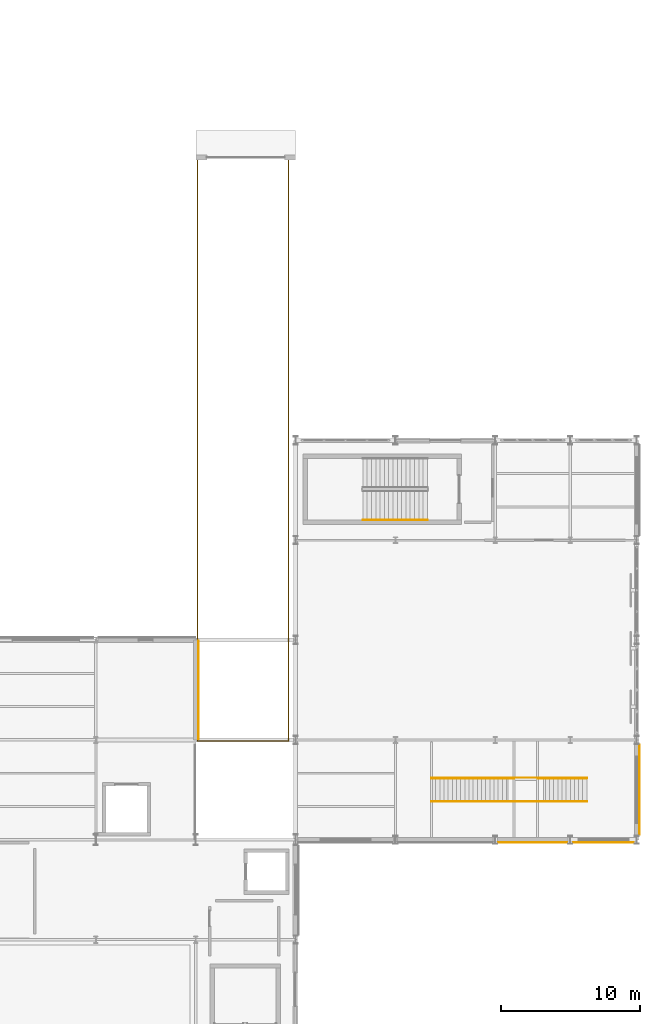
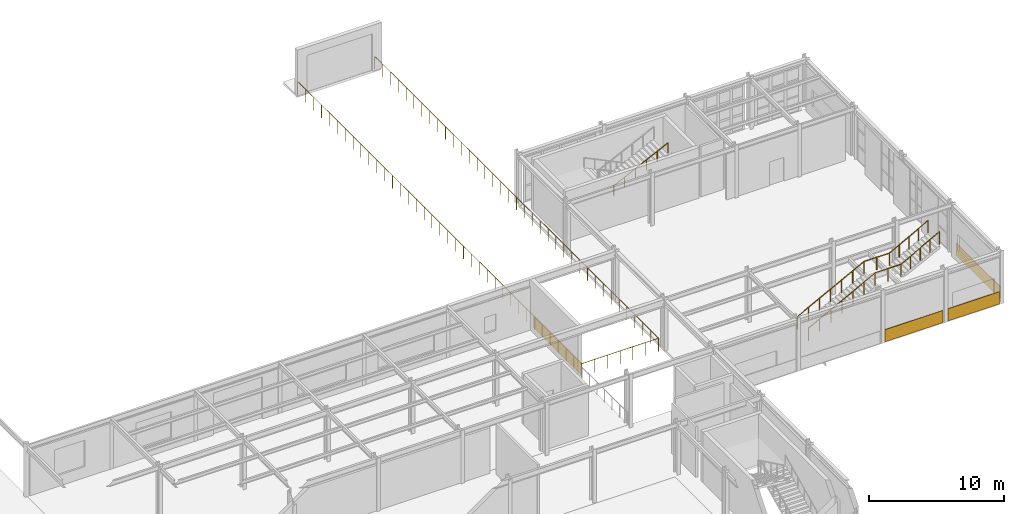
# One storey, part 80 of 83: 4 coverings, 4 railings.
"""IFC4 building model written with IfcOpenShell, lengths in metres."""

from ifc_helpers import new_model, si_unit, direction, frame, origin, origin_2d, place, context, subcontext, project, spatial, rectangle, circle, extrude, material, layer, layer_set, type_object, element, save


model = new_model("IFC4")

# Units and contexts
model_context = context("Model", 3, precision=1e-05, world=origin(), true_north=direction((0.0, 1.0)))
body_context = subcontext(model_context, "Body", "Model", "MODEL_VIEW")
ifc_project = project(units=[si_unit("LENGTHUNIT", "METRE"), si_unit("AREAUNIT", "SQUARE_METRE"), si_unit("VOLUMEUNIT", "CUBIC_METRE"), si_unit("PLANEANGLEUNIT", "RADIAN"), si_unit("MASSUNIT", "GRAM", prefix="KILO")], contexts=[model_context])

# Site, building, storey
site_placement = place(None, origin())
site = spatial("IfcSite", under=ifc_project, at=site_placement, CompositionType="ELEMENT")
building_placement = place(site_placement, origin())
building = spatial("IfcBuilding", under=site, at=building_placement, Name="Solvadek Multi-Sports Hall", CompositionType="ELEMENT")
storey_placement = place(building_placement, origin())
storey = spatial("IfcBuildingStorey", under=building, at=storey_placement, Name="L00", CompositionType="ELEMENT", Elevation=0.0)

# Coverings
ifc_material_1 = material(Name="Dressed honey-cream limestone ashlar", Category="masonry")
ifc_layer = layer(ifc_material_1, 0.044921875, Name="Dressed honey-cream limestone ashlar")
ifc_layer_set = layer_set([ifc_layer], Name="Dressed honey-cream limestone ashlar")
covering_type = type_object("IfcCoveringType", Name="ENV-COV-CLAD45", PredefinedType="CLADDING", material=ifc_layer_set)
covering_1_placement = place(storey_placement, frame((129.797119140625, 52.800048828125, 0.0), z_axis=(0.0, 0.0, 1.0), x_axis=(0.0, 1.0, 0.0)))
element("IfcCovering", 1, at=covering_1_placement, inside=storey, type_object=covering_type, Name="Deccan Granite Plinth Cladding #31", PredefinedType="CLADDING", context=body_context, shape_type="SweptSolid", body=[
    extrude(rectangle(XDim=7.10009765625, YDim=0.044921875, at=origin_2d()), origin(), (0.0, 0.0, 1.0), 1.10009765625),
])
covering_2_placement = place(storey_placement, frame((153.89990234375, 41.802978515625, 0.0), z_axis=(0.0, 0.0, 1.0), x_axis=(1.0, 0.0, 0.0)))
element("IfcCovering", 2, at=covering_2_placement, inside=storey, type_object=covering_type, Name="Deccan Granite Plinth Cladding #39", PredefinedType="CLADDING", context=body_context, shape_type="SweptSolid", body=[
    extrude(rectangle(XDim=4.991943359375, YDim=0.044921875, at=origin_2d()), origin(), (0.0, 0.0, 1.0), 1.10009765625),
])
covering_3_placement = place(storey_placement, frame((159.0, 41.802978515625, 0.0), z_axis=(0.0, 0.0, 1.0), x_axis=(1.0, 0.0, 0.0)))
element("IfcCovering", 3, at=covering_3_placement, inside=storey, type_object=covering_type, Name="Deccan Granite Plinth Cladding #40", PredefinedType="CLADDING", context=body_context, shape_type="SweptSolid", body=[
    extrude(rectangle(XDim=4.39208984375, YDim=0.044921875, at=origin_2d()), origin(), (0.0, 0.0, 1.0), 1.10009765625),
])
covering_4_placement = place(storey_placement, frame((161.59716796875, 45.60009765625, 0.0), z_axis=(0.0, 0.0, 1.0), x_axis=(0.0, 1.0, 0.0)))
element("IfcCovering", 4, at=covering_4_placement, inside=storey, type_object=covering_type, Name="Deccan Granite Plinth Cladding #41", PredefinedType="CLADDING", context=body_context, shape_type="SweptSolid", body=[
    extrude(rectangle(XDim=6.491943359375, YDim=0.044921875, at=origin_2d()), origin(), (0.0, 0.0, 1.0), 1.10009765625),
])

# Railings
ifc_material_2 = material(Name="Steel E250 (250 MPa)", Category="steel")
railing_type_1 = type_object("IfcRailingType", Name="INT-RAL-GRD115", PredefinedType="BALUSTRADE", material=ifc_material_2)
railing_1_placement = place(storey_placement, frame((146.60009765625, 44.760009765625, 0.0)))
element("IfcRailing", 5, at=railing_1_placement, inside=storey, type_object=railing_type_1, Name="Stair ST-11 Balustrade Guard", PredefinedType="BALUSTRADE", context=body_context, shape_type="SweptSolid", body=[
    extrude(circle(Radius=0.02392578125, at=origin_2d()), frame((0.0, 0.0, 1.1259765625), z_axis=(0.884916578004, 0.0, 0.465749557138), x_axis=(0.0, 1.0, 0.0)), (0.0, 0.0, 1.0), 6.441162109375),
    extrude(circle(Radius=0.02392578125, at=origin_2d()), frame((5.699951171875, 0.0, 4.1259765625), z_axis=(1.0, 0.0, 0.0), x_axis=(0.0, 1.0, 0.0)), (0.0, 0.0, 1.0), 2.199951171875),
    extrude(circle(Radius=0.02392578125, at=origin_2d()), frame((7.89990234375, 0.0, 4.1259765625), z_axis=(0.877893090839, 0.0, 0.478856681124), x_axis=(0.0, 1.0, 0.0)), (0.0, 0.0, 1.0), 3.759033203125),
    extrude(circle(Radius=0.02099609375, at=origin_2d()), origin(), (0.0, 0.0, 1.0), 1.101806640625),
    extrude(circle(Radius=0.02099609375, at=origin_2d()), frame((0.949951171875, 0.0, 0.5)), (0.0, 0.0, 1.0), 1.101806640625),
    extrude(circle(Radius=0.02099609375, at=origin_2d()), frame((1.89990234375, 0.0, 1.0)), (0.0, 0.0, 1.0), 1.101806640625),
    extrude(circle(Radius=0.02099609375, at=origin_2d()), frame((2.85009765625, 0.0, 1.5)), (0.0, 0.0, 1.0), 1.101806640625),
    extrude(circle(Radius=0.02099609375, at=origin_2d()), frame((3.800048828125, 0.0, 2.0)), (0.0, 0.0, 1.0), 1.101806640625),
    extrude(circle(Radius=0.02099609375, at=origin_2d()), frame((4.75, 0.0, 2.5)), (0.0, 0.0, 1.0), 1.101806640625),
    extrude(circle(Radius=0.02099609375, at=origin_2d()), frame((5.699951171875, 0.0, 3.0)), (0.0, 0.0, 1.0), 1.101806640625),
    extrude(circle(Radius=0.02099609375, at=origin_2d()), frame((6.7998046875, 0.0, 3.0)), (0.0, 0.0, 1.0), 1.101806640625),
    extrude(circle(Radius=0.02099609375, at=origin_2d()), frame((7.89990234375, 0.0, 3.0)), (0.0, 0.0, 1.0), 1.101806640625),
    extrude(circle(Radius=0.02099609375, at=origin_2d()), frame((8.724853515625, 0.0, 3.449951171875)), (0.0, 0.0, 1.0), 1.101806640625),
    extrude(circle(Radius=0.02099609375, at=origin_2d()), frame((9.5498046875, 0.0, 3.89990234375)), (0.0, 0.0, 1.0), 1.101806640625),
    extrude(circle(Radius=0.02099609375, at=origin_2d()), frame((10.375, 0.0, 4.35009765625)), (0.0, 0.0, 1.0), 1.101806640625),
    extrude(circle(Radius=0.02099609375, at=origin_2d()), frame((11.199951171875, 0.0, 4.800048828125)), (0.0, 0.0, 1.0), 1.101806640625),
])
railing_2_placement = place(storey_placement, frame((146.60009765625, 46.43994140625, 0.0)))
element("IfcRailing", 6, at=railing_2_placement, inside=storey, type_object=railing_type_1, Name="Stair ST-11 Balustrade Guard", PredefinedType="BALUSTRADE", context=body_context, shape_type="SweptSolid", body=[
    extrude(circle(Radius=0.02392578125, at=origin_2d()), frame((0.0, 0.0, 1.1259765625), z_axis=(0.884916578004, 0.0, 0.465749557138), x_axis=(0.0, 1.0, 0.0)), (0.0, 0.0, 1.0), 6.441162109375),
    extrude(circle(Radius=0.02392578125, at=origin_2d()), frame((5.699951171875, 0.0, 4.1259765625), z_axis=(1.0, 0.0, 0.0), x_axis=(0.0, 1.0, 0.0)), (0.0, 0.0, 1.0), 2.199951171875),
    extrude(circle(Radius=0.02392578125, at=origin_2d()), frame((7.89990234375, 0.0, 4.1259765625), z_axis=(0.877893090839, 0.0, 0.478856681124), x_axis=(0.0, 1.0, 0.0)), (0.0, 0.0, 1.0), 3.759033203125),
    extrude(circle(Radius=0.02099609375, at=origin_2d()), origin(), (0.0, 0.0, 1.0), 1.101806640625),
    extrude(circle(Radius=0.02099609375, at=origin_2d()), frame((0.949951171875, 0.0, 0.5)), (0.0, 0.0, 1.0), 1.101806640625),
    extrude(circle(Radius=0.02099609375, at=origin_2d()), frame((1.89990234375, 0.0, 1.0)), (0.0, 0.0, 1.0), 1.101806640625),
    extrude(circle(Radius=0.02099609375, at=origin_2d()), frame((2.85009765625, 0.0, 1.5)), (0.0, 0.0, 1.0), 1.101806640625),
    extrude(circle(Radius=0.02099609375, at=origin_2d()), frame((3.800048828125, 0.0, 2.0)), (0.0, 0.0, 1.0), 1.101806640625),
    extrude(circle(Radius=0.02099609375, at=origin_2d()), frame((4.75, 0.0, 2.5)), (0.0, 0.0, 1.0), 1.101806640625),
    extrude(circle(Radius=0.02099609375, at=origin_2d()), frame((5.699951171875, 0.0, 3.0)), (0.0, 0.0, 1.0), 1.101806640625),
    extrude(circle(Radius=0.02099609375, at=origin_2d()), frame((6.7998046875, 0.0, 3.0)), (0.0, 0.0, 1.0), 1.101806640625),
    extrude(circle(Radius=0.02099609375, at=origin_2d()), frame((7.89990234375, 0.0, 3.0)), (0.0, 0.0, 1.0), 1.101806640625),
    extrude(circle(Radius=0.02099609375, at=origin_2d()), frame((8.724853515625, 0.0, 3.449951171875)), (0.0, 0.0, 1.0), 1.101806640625),
    extrude(circle(Radius=0.02099609375, at=origin_2d()), frame((9.5498046875, 0.0, 3.89990234375)), (0.0, 0.0, 1.0), 1.101806640625),
    extrude(circle(Radius=0.02099609375, at=origin_2d()), frame((10.375, 0.0, 4.35009765625)), (0.0, 0.0, 1.0), 1.101806640625),
    extrude(circle(Radius=0.02099609375, at=origin_2d()), frame((11.199951171875, 0.0, 4.800048828125)), (0.0, 0.0, 1.0), 1.101806640625),
])
railing_3_placement = place(storey_placement, frame((129.719970703125, 91.199951171875, 0.0)))
element("IfcRailing", 7, at=railing_3_placement, inside=storey, type_object=railing_type_1, Name="East Vehicle Ramp Well Perimeter Guard", PredefinedType="BALUSTRADE", context=body_context, shape_type="SweptSolid", body=[
    extrude(circle(Radius=0.02392578125, at=origin_2d()), frame((0.0, 0.0, 1.17578125), z_axis=(0.0, -1.0, 0.0), x_axis=(1.0, 0.0, 0.0)), (0.0, 0.0, 1.0), 42.079833984375),
    extrude(circle(Radius=0.02392578125, at=origin_2d()), frame((0.0, -42.079833984375, 1.17578125), z_axis=(1.0, 0.0, 0.0), x_axis=(0.0, 1.0, 0.0)), (0.0, 0.0, 1.0), 6.56005859375),
    extrude(circle(Radius=0.02392578125, at=origin_2d()), frame((6.56005859375, -42.079833984375, 1.17578125), z_axis=(0.0, 1.0, 0.0), x_axis=(-1.0, 0.0, 0.0)), (0.0, 0.0, 1.0), 42.079833984375),
    extrude(circle(Radius=0.02099609375, at=origin_2d()), origin(), (0.0, 0.0, 1.0), 1.15185546875),
    extrude(circle(Radius=0.02099609375, at=origin_2d()), frame((0.0, -1.1689453125, 0.0)), (0.0, 0.0, 1.0), 1.15185546875),
    extrude(circle(Radius=0.02099609375, at=origin_2d()), frame((0.0, -2.337890625, 0.0)), (0.0, 0.0, 1.0), 1.15185546875),
    extrude(circle(Radius=0.02099609375, at=origin_2d()), frame((0.0, -3.506591796875, 0.0)), (0.0, 0.0, 1.0), 1.15185546875),
    extrude(circle(Radius=0.02099609375, at=origin_2d()), frame((0.0, -4.675537109375, 0.0)), (0.0, 0.0, 1.0), 1.15185546875),
    extrude(circle(Radius=0.02099609375, at=origin_2d()), frame((0.0, -5.844482421875, 0.0)), (0.0, 0.0, 1.0), 1.15185546875),
    extrude(circle(Radius=0.02099609375, at=origin_2d()), frame((0.0, -7.01318359375, 0.0)), (0.0, 0.0, 1.0), 1.15185546875),
    extrude(circle(Radius=0.02099609375, at=origin_2d()), frame((0.0, -8.18212890625, 0.0)), (0.0, 0.0, 1.0), 1.15185546875),
    extrude(circle(Radius=0.02099609375, at=origin_2d()), frame((0.0, -9.35107421875, 0.0)), (0.0, 0.0, 1.0), 1.15185546875),
    extrude(circle(Radius=0.02099609375, at=origin_2d()), frame((0.0, -10.52001953125, 0.0)), (0.0, 0.0, 1.0), 1.15185546875),
    extrude(circle(Radius=0.02099609375, at=origin_2d()), frame((0.0, -11.68896484375, 0.0)), (0.0, 0.0, 1.0), 1.15185546875),
    extrude(circle(Radius=0.02099609375, at=origin_2d()), frame((0.0, -12.857666015625, 0.0)), (0.0, 0.0, 1.0), 1.15185546875),
    extrude(circle(Radius=0.02099609375, at=origin_2d()), frame((0.0, -14.026611328125, 0.0)), (0.0, 0.0, 1.0), 1.15185546875),
    extrude(circle(Radius=0.02099609375, at=origin_2d()), frame((0.0, -15.195556640625, 0.0)), (0.0, 0.0, 1.0), 1.15185546875),
    extrude(circle(Radius=0.02099609375, at=origin_2d()), frame((0.0, -16.3642578125, 0.0)), (0.0, 0.0, 1.0), 1.15185546875),
    extrude(circle(Radius=0.02099609375, at=origin_2d()), frame((0.0, -17.533203125, 0.0)), (0.0, 0.0, 1.0), 1.15185546875),
    extrude(circle(Radius=0.02099609375, at=origin_2d()), frame((0.0, -18.7021484375, 0.0)), (0.0, 0.0, 1.0), 1.15185546875),
    extrude(circle(Radius=0.02099609375, at=origin_2d()), frame((0.0, -19.87109375, 0.0)), (0.0, 0.0, 1.0), 1.15185546875),
    extrude(circle(Radius=0.02099609375, at=origin_2d()), frame((0.0, -21.0400390625, 0.0)), (0.0, 0.0, 1.0), 1.15185546875),
    extrude(circle(Radius=0.02099609375, at=origin_2d()), frame((0.0, -22.208740234375, 0.0)), (0.0, 0.0, 1.0), 1.15185546875),
    extrude(circle(Radius=0.02099609375, at=origin_2d()), frame((0.0, -23.377685546875, 0.0)), (0.0, 0.0, 1.0), 1.15185546875),
    extrude(circle(Radius=0.02099609375, at=origin_2d()), frame((0.0, -24.546630859375, 0.0)), (0.0, 0.0, 1.0), 1.15185546875),
    extrude(circle(Radius=0.02099609375, at=origin_2d()), frame((0.0, -25.715576171875, 0.0)), (0.0, 0.0, 1.0), 1.15185546875),
    extrude(circle(Radius=0.02099609375, at=origin_2d()), frame((0.0, -26.88427734375, 0.0)), (0.0, 0.0, 1.0), 1.15185546875),
    extrude(circle(Radius=0.02099609375, at=origin_2d()), frame((0.0, -28.05322265625, 0.0)), (0.0, 0.0, 1.0), 1.15185546875),
    extrude(circle(Radius=0.02099609375, at=origin_2d()), frame((0.0, -29.22216796875, 0.0)), (0.0, 0.0, 1.0), 1.15185546875),
    extrude(circle(Radius=0.02099609375, at=origin_2d()), frame((0.0, -30.39111328125, 0.0)), (0.0, 0.0, 1.0), 1.15185546875),
    extrude(circle(Radius=0.02099609375, at=origin_2d()), frame((0.0, -31.559814453125, 0.0)), (0.0, 0.0, 1.0), 1.15185546875),
    extrude(circle(Radius=0.02099609375, at=origin_2d()), frame((0.0, -32.728759765625, 0.0)), (0.0, 0.0, 1.0), 1.15185546875),
    extrude(circle(Radius=0.02099609375, at=origin_2d()), frame((0.0, -33.897705078125, 0.0)), (0.0, 0.0, 1.0), 1.15185546875),
    extrude(circle(Radius=0.02099609375, at=origin_2d()), frame((0.0, -35.06640625, 0.0)), (0.0, 0.0, 1.0), 1.15185546875),
    extrude(circle(Radius=0.02099609375, at=origin_2d()), frame((0.0, -36.2353515625, 0.0)), (0.0, 0.0, 1.0), 1.15185546875),
    extrude(circle(Radius=0.02099609375, at=origin_2d()), frame((0.0, -37.404296875, 0.0)), (0.0, 0.0, 1.0), 1.15185546875),
    extrude(circle(Radius=0.02099609375, at=origin_2d()), frame((0.0, -38.5732421875, 0.0)), (0.0, 0.0, 1.0), 1.15185546875),
    extrude(circle(Radius=0.02099609375, at=origin_2d()), frame((0.0, -39.7421875, 0.0)), (0.0, 0.0, 1.0), 1.15185546875),
    extrude(circle(Radius=0.02099609375, at=origin_2d()), frame((0.0, -40.910888671875, 0.0)), (0.0, 0.0, 1.0), 1.15185546875),
    extrude(circle(Radius=0.02099609375, at=origin_2d()), frame((0.0, -42.079833984375, 0.0)), (0.0, 0.0, 1.0), 1.15185546875),
    extrude(circle(Radius=0.02099609375, at=origin_2d()), frame((1.09326171875, -42.079833984375, 0.0)), (0.0, 0.0, 1.0), 1.15185546875),
    extrude(circle(Radius=0.02099609375, at=origin_2d()), frame((2.186767578125, -42.079833984375, 0.0)), (0.0, 0.0, 1.0), 1.15185546875),
    extrude(circle(Radius=0.02099609375, at=origin_2d()), frame((3.280029296875, -42.079833984375, 0.0)), (0.0, 0.0, 1.0), 1.15185546875),
    extrude(circle(Radius=0.02099609375, at=origin_2d()), frame((4.373291015625, -42.079833984375, 0.0)), (0.0, 0.0, 1.0), 1.15185546875),
    extrude(circle(Radius=0.02099609375, at=origin_2d()), frame((5.466796875, -42.079833984375, 0.0)), (0.0, 0.0, 1.0), 1.15185546875),
    extrude(circle(Radius=0.02099609375, at=origin_2d()), frame((6.56005859375, -42.079833984375, 0.0)), (0.0, 0.0, 1.0), 1.15185546875),
    extrude(circle(Radius=0.02099609375, at=origin_2d()), frame((6.56005859375, -40.910888671875, 0.0)), (0.0, 0.0, 1.0), 1.15185546875),
    extrude(circle(Radius=0.02099609375, at=origin_2d()), frame((6.56005859375, -39.7421875, 0.0)), (0.0, 0.0, 1.0), 1.15185546875),
    extrude(circle(Radius=0.02099609375, at=origin_2d()), frame((6.56005859375, -38.5732421875, 0.0)), (0.0, 0.0, 1.0), 1.15185546875),
    extrude(circle(Radius=0.02099609375, at=origin_2d()), frame((6.56005859375, -37.404296875, 0.0)), (0.0, 0.0, 1.0), 1.15185546875),
    extrude(circle(Radius=0.02099609375, at=origin_2d()), frame((6.56005859375, -36.2353515625, 0.0)), (0.0, 0.0, 1.0), 1.15185546875),
    extrude(circle(Radius=0.02099609375, at=origin_2d()), frame((6.56005859375, -35.06640625, 0.0)), (0.0, 0.0, 1.0), 1.15185546875),
    extrude(circle(Radius=0.02099609375, at=origin_2d()), frame((6.56005859375, -33.897705078125, 0.0)), (0.0, 0.0, 1.0), 1.15185546875),
    extrude(circle(Radius=0.02099609375, at=origin_2d()), frame((6.56005859375, -32.728759765625, 0.0)), (0.0, 0.0, 1.0), 1.15185546875),
    extrude(circle(Radius=0.02099609375, at=origin_2d()), frame((6.56005859375, -31.559814453125, 0.0)), (0.0, 0.0, 1.0), 1.15185546875),
    extrude(circle(Radius=0.02099609375, at=origin_2d()), frame((6.56005859375, -30.39111328125, 0.0)), (0.0, 0.0, 1.0), 1.15185546875),
    extrude(circle(Radius=0.02099609375, at=origin_2d()), frame((6.56005859375, -29.22216796875, 0.0)), (0.0, 0.0, 1.0), 1.15185546875),
    extrude(circle(Radius=0.02099609375, at=origin_2d()), frame((6.56005859375, -28.05322265625, 0.0)), (0.0, 0.0, 1.0), 1.15185546875),
    extrude(circle(Radius=0.02099609375, at=origin_2d()), frame((6.56005859375, -26.88427734375, 0.0)), (0.0, 0.0, 1.0), 1.15185546875),
    extrude(circle(Radius=0.02099609375, at=origin_2d()), frame((6.56005859375, -25.71533203125, 0.0)), (0.0, 0.0, 1.0), 1.15185546875),
    extrude(circle(Radius=0.02099609375, at=origin_2d()), frame((6.56005859375, -24.546630859375, 0.0)), (0.0, 0.0, 1.0), 1.15185546875),
    extrude(circle(Radius=0.02099609375, at=origin_2d()), frame((6.56005859375, -23.377685546875, 0.0)), (0.0, 0.0, 1.0), 1.15185546875),
    extrude(circle(Radius=0.02099609375, at=origin_2d()), frame((6.56005859375, -22.208740234375, 0.0)), (0.0, 0.0, 1.0), 1.15185546875),
    extrude(circle(Radius=0.02099609375, at=origin_2d()), frame((6.56005859375, -21.0400390625, 0.0)), (0.0, 0.0, 1.0), 1.15185546875),
    extrude(circle(Radius=0.02099609375, at=origin_2d()), frame((6.56005859375, -19.87109375, 0.0)), (0.0, 0.0, 1.0), 1.15185546875),
    extrude(circle(Radius=0.02099609375, at=origin_2d()), frame((6.56005859375, -18.7021484375, 0.0)), (0.0, 0.0, 1.0), 1.15185546875),
    extrude(circle(Radius=0.02099609375, at=origin_2d()), frame((6.56005859375, -17.533203125, 0.0)), (0.0, 0.0, 1.0), 1.15185546875),
    extrude(circle(Radius=0.02099609375, at=origin_2d()), frame((6.56005859375, -16.3642578125, 0.0)), (0.0, 0.0, 1.0), 1.15185546875),
    extrude(circle(Radius=0.02099609375, at=origin_2d()), frame((6.56005859375, -15.195556640625, 0.0)), (0.0, 0.0, 1.0), 1.15185546875),
    extrude(circle(Radius=0.02099609375, at=origin_2d()), frame((6.56005859375, -14.026611328125, 0.0)), (0.0, 0.0, 1.0), 1.15185546875),
    extrude(circle(Radius=0.02099609375, at=origin_2d()), frame((6.56005859375, -12.857666015625, 0.0)), (0.0, 0.0, 1.0), 1.15185546875),
    extrude(circle(Radius=0.02099609375, at=origin_2d()), frame((6.56005859375, -11.68896484375, 0.0)), (0.0, 0.0, 1.0), 1.15185546875),
    extrude(circle(Radius=0.02099609375, at=origin_2d()), frame((6.56005859375, -10.52001953125, 0.0)), (0.0, 0.0, 1.0), 1.15185546875),
    extrude(circle(Radius=0.02099609375, at=origin_2d()), frame((6.56005859375, -9.35107421875, 0.0)), (0.0, 0.0, 1.0), 1.15185546875),
    extrude(circle(Radius=0.02099609375, at=origin_2d()), frame((6.56005859375, -8.18212890625, 0.0)), (0.0, 0.0, 1.0), 1.15185546875),
    extrude(circle(Radius=0.02099609375, at=origin_2d()), frame((6.56005859375, -7.01318359375, 0.0)), (0.0, 0.0, 1.0), 1.15185546875),
    extrude(circle(Radius=0.02099609375, at=origin_2d()), frame((6.56005859375, -5.844482421875, 0.0)), (0.0, 0.0, 1.0), 1.15185546875),
    extrude(circle(Radius=0.02099609375, at=origin_2d()), frame((6.56005859375, -4.675537109375, 0.0)), (0.0, 0.0, 1.0), 1.15185546875),
    extrude(circle(Radius=0.02099609375, at=origin_2d()), frame((6.56005859375, -3.506591796875, 0.0)), (0.0, 0.0, 1.0), 1.15185546875),
    extrude(circle(Radius=0.02099609375, at=origin_2d()), frame((6.56005859375, -2.337890625, 0.0)), (0.0, 0.0, 1.0), 1.15185546875),
    extrude(circle(Radius=0.02099609375, at=origin_2d()), frame((6.56005859375, -1.1689453125, 0.0)), (0.0, 0.0, 1.0), 1.15185546875),
    extrude(circle(Radius=0.02099609375, at=origin_2d()), frame((6.56005859375, 0.0, 0.0)), (0.0, 0.0, 1.0), 1.15185546875),
])
railing_type_2 = type_object("IfcRailingType", Name="INT-RAL-HND090", PredefinedType="HANDRAIL", material=ifc_material_2)
railing_4_placement = place(storey_placement, frame((141.64990234375, 65.050048828125, 2.550048828125)))
element("IfcRailing", 8, at=railing_4_placement, inside=storey, type_object=railing_type_2, Name="L00 ST-06 stair handrail 2", PredefinedType="HANDRAIL", context=body_context, shape_type="SweptSolid", body=[
    extrude(circle(Radius=0.02392578125, at=origin_2d()), frame((0.0, 0.0, 0.8759765625), z_axis=(0.900164630878, 0.0, 0.435549810373), x_axis=(0.0, 1.0, 0.0)), (0.0, 0.0, 1.0), 5.165771484375),
    extrude(circle(Radius=0.02099609375, at=origin_2d()), origin(), (0.0, 0.0, 1.0), 0.851806640625),
    extrude(circle(Radius=0.02099609375, at=origin_2d()), frame((0.929931640625, 0.0, 0.449951171875)), (0.0, 0.0, 1.0), 0.851806640625),
    extrude(circle(Radius=0.02099609375, at=origin_2d()), frame((1.860107421875, 0.0, 0.89990234375)), (0.0, 0.0, 1.0), 0.851806640625),
    extrude(circle(Radius=0.02099609375, at=origin_2d()), frame((2.7900390625, 0.0, 1.35009765625)), (0.0, 0.0, 1.0), 0.851806640625),
    extrude(circle(Radius=0.02099609375, at=origin_2d()), frame((3.72021484375, 0.0, 1.800048828125)), (0.0, 0.0, 1.0), 0.851806640625),
    extrude(circle(Radius=0.02099609375, at=origin_2d()), frame((4.650146484375, 0.0, 2.25)), (0.0, 0.0, 1.0), 0.851806640625),
])

save(model, "model.ifc")
